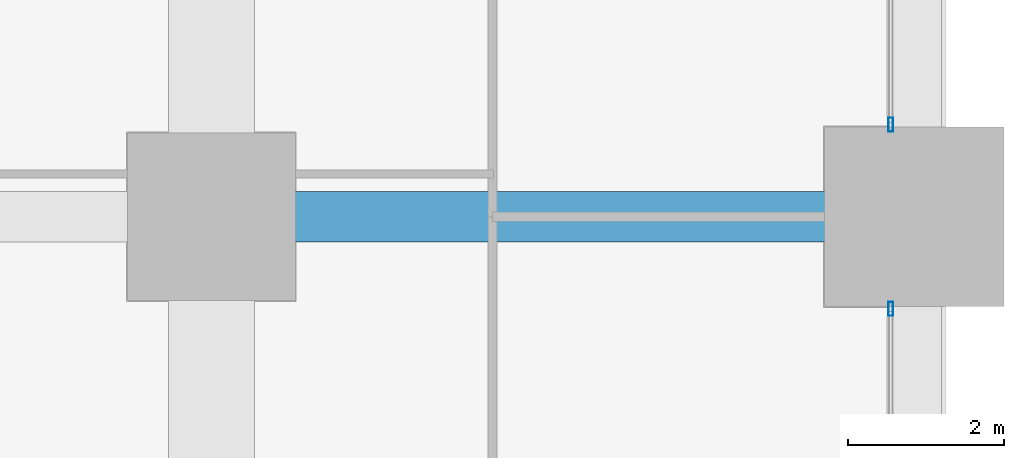
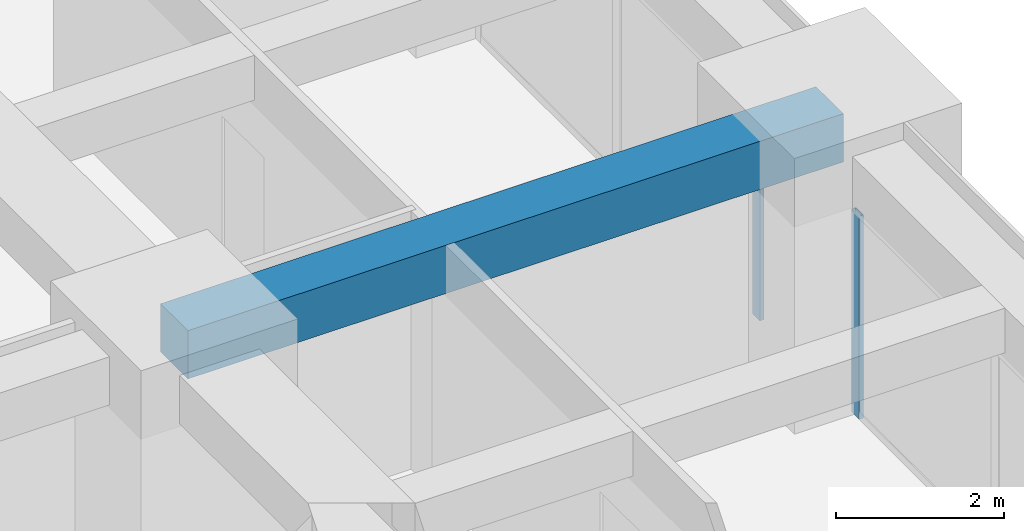
# One storey, part 32 of 44: 2 members, 1 beam, 2 elements without a shape of their own.
"""IFC4 building model written with IfcOpenShell, lengths in metres."""

import ifcopenshell
import ifcopenshell.guid

model = None  # the IFC model being written
_history = None  # IfcOwnerHistory: only IFC2X3 demands one
_inside = {}  # id of a spatial element -> (the spatial element, [elements in it])
_under = {}  # id of a project, library or spatial element -> (it, [spatial elements below it])
_declared = {}  # id of a project -> (the project, [libraries it declares])
_typed = {}  # id of a type object -> (the type object, [elements of that type])
_made_of = {}  # id of a material, layer set ... -> (it, [elements and type objects made of it])


def new_model(schema):
    """Start an empty IFC model of exactly this schema.

    Asked for "IFC4X3", IfcOpenShell would pick the latest addendum, in which some entities
    have other attributes; the version numbers below select the first issue.
    IFC2X3 requires an IfcOwnerHistory on every rooted entity: one is made here for all.
    """
    global model, _history
    if schema == "IFC4X3":
        model = ifcopenshell.file(schema_version=(4, 3, 0, 0))
    else:
        model = ifcopenshell.file(schema=schema)
    _inside.clear()
    _under.clear()
    _declared.clear()
    _typed.clear()
    _made_of.clear()
    _history = None
    if model.schema == "IFC2X3":
        org = make("IfcOrganization", Name="unknown")
        user = make(
            "IfcPersonAndOrganization",
            ThePerson=make("IfcPerson", FamilyName="unknown"),
            TheOrganization=org,
        )
        app = make(
            "IfcApplication",
            ApplicationDeveloper=org,
            Version="unknown",
            ApplicationFullName="unknown",
            ApplicationIdentifier="unknown",
        )
        _history = make(
            "IfcOwnerHistory",
            OwningUser=user,
            OwningApplication=app,
            ChangeAction="ADDED",
            CreationDate=0,
        )
    return model


def make(cls, **values):
    """One entity of the class cls with the attributes given. An attribute that is None is left unset."""
    return model.create_entity(
        cls, **{name: value for name, value in values.items() if value is not None}
    )


def rooted(cls, **values):
    """An entity with a GlobalId (a new one), such as an element, a storey or a relation."""
    return make(cls, GlobalId=ifcopenshell.guid.new(), OwnerHistory=_history, **values)


def si_unit(unit_type, name, prefix=None):
    """IfcSIUnit, for example si_unit("LENGTHUNIT", "METRE", prefix="MILLI")."""
    return make("IfcSIUnit", UnitType=unit_type, Prefix=prefix, Name=name)


def assignment(units):
    """IfcUnitAssignment: the units of a project."""
    return None if units is None else make("IfcUnitAssignment", Units=units)


def point(xyz):
    """IfcCartesianPoint."""
    return None if xyz is None else make("IfcCartesianPoint", Coordinates=xyz)


def direction(xyz):
    """IfcDirection."""
    return None if xyz is None else make("IfcDirection", DirectionRatios=xyz)


def frame(location, z_axis=None, x_axis=None):
    """IfcAxis2Placement3D, a coordinate frame: its origin and axes. An axis left out is left unset."""
    return make(
        "IfcAxis2Placement3D",
        Location=point(location),
        Axis=direction(z_axis),
        RefDirection=direction(x_axis),
    )


def frame_2d(location, x_axis=None):
    """IfcAxis2Placement2D, a coordinate frame in the plane: its origin and x axis."""
    return make(
        "IfcAxis2Placement2D", Location=point(location), RefDirection=direction(x_axis)
    )


def origin():
    """The frame at (0, 0, 0) with its axes left unset."""
    return frame((0.0, 0.0, 0.0))


def origin_2d():
    """The frame at (0, 0) in the plane with its x axis left unset."""
    return frame_2d((0.0, 0.0))


def place(relative_to, where):
    """IfcLocalPlacement: puts the frame where relative to a parent placement (None: the world)."""
    return make(
        "IfcLocalPlacement", PlacementRelTo=relative_to, RelativePlacement=where
    )


def context(
    kind, dimensions, precision=None, world=None, true_north=None, identifier=None
):
    """IfcGeometricRepresentationContext, for example the 3D "Model" context."""
    return make(
        "IfcGeometricRepresentationContext",
        ContextIdentifier=identifier,
        ContextType=kind,
        CoordinateSpaceDimension=dimensions,
        Precision=precision,
        WorldCoordinateSystem=world,
        TrueNorth=true_north,
    )


def subcontext(parent, identifier, kind, view, scale=None):
    """IfcGeometricRepresentationSubContext, for example "Body" below "Model"."""
    return make(
        "IfcGeometricRepresentationSubContext",
        ContextIdentifier=identifier,
        ContextType=kind,
        ParentContext=parent,
        TargetScale=scale,
        TargetView=view,
    )


def project(units=None, contexts=None):
    """IfcProject with its units and contexts."""
    return rooted(
        "IfcProject",
        Name="project",
        RepresentationContexts=contexts,
        UnitsInContext=assignment(units),
    )


def spatial(cls, under=None, at=None, **own):
    """A site, building, storey or space (cls), placed at a placement, below another one or the project."""
    s = rooted(cls, ObjectPlacement=at, **own)
    if under is not None:
        _under.setdefault(under.id(), (under, []))[1].append(s)
    return s


def profile(cls, at=None, kind="AREA", **sizes):
    """A parametric profile (cls). Its sizes go by their IFC names, for example OverallWidth=200.0."""
    return make(cls, ProfileType=kind, Position=at, **sizes)


def rectangle(**sizes):
    """IfcRectangleProfileDef."""
    return profile("IfcRectangleProfileDef", **sizes)


def hollow_rectangle(**sizes):
    """IfcRectangleHollowProfileDef."""
    return profile("IfcRectangleHollowProfileDef", **sizes)


def extrude(swept, where, along, depth):
    """IfcExtrudedAreaSolid: the profile swept, set in the frame where, extruded along a direction by depth."""
    return make(
        "IfcExtrudedAreaSolid",
        SweptArea=swept,
        Position=where,
        ExtrudedDirection=direction(along),
        Depth=depth,
    )


def shape(context_of_items, identifier, shape_type, items):
    """IfcShapeRepresentation: the items that make up one representation, for example the "Body"."""
    return make(
        "IfcShapeRepresentation",
        ContextOfItems=context_of_items,
        RepresentationIdentifier=identifier,
        RepresentationType=shape_type,
        Items=items,
    )


def material(Name=None, Category=None):
    """IfcMaterial."""
    return make("IfcMaterial", Name=Name, Category=Category)


def material_profile(
    of_material, cross_section, Name=None, Category=None, Priority=None
):
    """IfcMaterialProfile: a cross section and its material."""
    return make(
        "IfcMaterialProfile",
        Name=Name,
        Material=of_material,
        Profile=cross_section,
        Priority=Priority,
        Category=Category,
    )


def profile_set(profiles, Name=None, composite=None):
    """IfcMaterialProfileSet."""
    return make(
        "IfcMaterialProfileSet",
        Name=Name,
        MaterialProfiles=profiles,
        CompositeProfile=composite,
    )


def made_of(thing, what):
    """Note that an element or type object is made of a material, layer set ...; save() writes the relation."""
    if what is not None:
        _made_of.setdefault(what.id(), (what, []))[1].append(thing)
    return thing


def type_object(cls, material=None, **own):
    """A type object (cls), such as IfcWallType, which elements share."""
    return made_of(rooted(cls, **own), material)


def element(
    cls,
    number,
    at=None,
    inside=None,
    cuts=None,
    type_object=None,
    material=None,
    context=None,
    identifier="Body",
    shape_type=None,
    held_by="IfcProductDefinitionShape",
    body=None,
    shapes=None,
    **own,
):
    """One element of the class cls, such as IfcWall. Its Tag is "e" and its number.

    at: its placement. inside: the storey or other place that contains it. cuts: it is an
    opening in that element (IfcRelVoidsElement). A single representation is given by context,
    identifier, shape_type and body (its items); several are given by shapes. held_by: the class
    of the entity that holds the representations. save() writes the other relations.
    """
    e = rooted(cls, Tag="e%d" % number, ObjectPlacement=at, **own)
    if body is not None:
        shapes = [shape(context, identifier, shape_type, body)]
    if shapes is not None:
        e.Representation = make(held_by, Representations=shapes)
    if inside is not None:
        _inside.setdefault(inside.id(), (inside, []))[1].append(e)
    if cuts is not None:
        rooted(
            "IfcRelVoidsElement", RelatingBuildingElement=cuts, RelatedOpeningElement=e
        )
    if type_object is not None:
        _typed.setdefault(type_object.id(), (type_object, []))[1].append(e)
    return made_of(e, material)


def aggregate(whole, parts):
    """IfcRelAggregates: a whole, such as a stair, and the parts it consists of."""
    return rooted("IfcRelAggregates", RelatingObject=whole, RelatedObjects=parts)


def save(model, path):
    """Write the relations noted so far, then the file.

    IfcRelAggregates (storeys below a building ...), IfcRelContainedInSpatialStructure (elements
    in a storey), IfcRelDefinesByType, IfcRelAssociatesMaterial and IfcRelDeclares: one each for
    every whole, place, type object, material and project.
    """
    for whole, parts in _under.values():
        aggregate(whole, parts)
    for where, things in _inside.values():
        rooted(
            "IfcRelContainedInSpatialStructure",
            RelatedElements=things,
            RelatingStructure=where,
        )
    for kind, things in _typed.values():
        rooted("IfcRelDefinesByType", RelatedObjects=things, RelatingType=kind)
    for what, things in _made_of.values():
        rooted("IfcRelAssociatesMaterial", RelatedObjects=things, RelatingMaterial=what)
    for by, libraries in _declared.values():
        rooted("IfcRelDeclares", RelatingContext=by, RelatedDefinitions=libraries)
    model.write(path)


model = new_model("IFC4")

# Units and contexts
model_context = context("Model", 3, precision=1e-05, world=origin(), true_north=direction((0.0, 1.0)))
body_context = subcontext(model_context, "Body", "Model", "MODEL_VIEW")
ifc_project = project(units=[si_unit("LENGTHUNIT", "METRE"), si_unit("AREAUNIT", "SQUARE_METRE"), si_unit("VOLUMEUNIT", "CUBIC_METRE"), si_unit("PLANEANGLEUNIT", "RADIAN"), si_unit("MASSUNIT", "GRAM", prefix="KILO")], contexts=[model_context])

# Site, building, storey
site_placement = place(None, origin())
site = spatial("IfcSite", under=ifc_project, at=site_placement, CompositionType="ELEMENT")
building_placement = place(site_placement, origin())
building = spatial("IfcBuilding", under=site, at=building_placement, Name="Zorevar Civic Tower", CompositionType="ELEMENT")
storey_placement = place(building_placement, frame((0.0, 0.0, 51.800048828125)))
storey = spatial("IfcBuildingStorey", under=building, at=storey_placement, Name="L12", CompositionType="ELEMENT", Elevation=51.800048828125)

# Beam
ifc_material_1 = material(Name="Concrete C50/60", Category="concrete")
ifc_material_profile_1 = material_profile(ifc_material_1, rectangle(XDim=0.64990234375, YDim=0.699951171875, at=origin_2d()), Name="RC 650x700")
ifc_profile_set_1 = profile_set([ifc_material_profile_1], Name="Concrete C50/60")
beam_type = type_object("IfcBeamType", Name="Beam RC 650x700", PredefinedType="BEAM", material=ifc_profile_set_1)
beam_placement = place(storey_placement, frame((54.0, 36.0, 3.39990234375), z_axis=(1.0, 0.0, 0.0), x_axis=(0.0, 1.0, 0.0)))
element("IfcBeam", 1, at=beam_placement, inside=storey, type_object=beam_type, Name="Girder L13", PredefinedType="BEAM", context=body_context, shape_type="SweptSolid", body=[
    extrude(rectangle(XDim=0.64990234375, YDim=0.699951171875, at=origin_2d()), origin(), (0.0, 0.0, 1.0), 9.0),
])

# Curtain wall, member
ifc_material_2 = material(Name="Dark grey solar-control glass in black aluminium frame", Category="aluminium")
curtain_wall_type = type_object("IfcCurtainWallType", Name="Curtain wall CW2 low zone", PredefinedType="NOTDEFINED", material=ifc_material_2)
curtain_wall_1_placement = place(storey_placement, origin())
curtain_wall_1 = element("IfcCurtainWall", 2, at=curtain_wall_1_placement, inside=storey, type_object=curtain_wall_type, Name="CW2 L12", PredefinedType="NOTDEFINED")
ifc_material_3 = material(Name="Aluminium, black anodised", Category="aluminium")
ifc_material_profile_2 = material_profile(ifc_material_3, hollow_rectangle(XDim=0.06005859375, YDim=0.179931640625, WallThickness=0.00390625, at=origin_2d()), Name="AL 180x60x4")
ifc_profile_set_2 = profile_set([ifc_material_profile_2], Name="Aluminium, black anodised")
member_type = type_object("IfcMemberType", Name="CW2 mullion AL 180x60x4", PredefinedType="MULLION", material=ifc_profile_set_2)
member_1_placement = place(storey_placement, frame((62.699951171875, 34.820068359375, 0.0), z_axis=(0.0, 0.0, 1.0), x_axis=(-1.0, 0.0, 0.0)))
member_1 = element("IfcMember", 3, at=member_1_placement, type_object=member_type, Name="CW2 mullion 3", PredefinedType="MULLION", context=body_context, shape_type="SweptSolid", body=[
    extrude(hollow_rectangle(XDim=0.06005859375, YDim=0.179931640625, WallThickness=0.00390625, at=origin_2d()), origin(), (0.0, 0.0, 1.0), 2.949951171875),
])
aggregate(curtain_wall_1, [member_1])

curtain_wall_2_placement = place(storey_placement, origin())
curtain_wall_2 = element("IfcCurtainWall", 4, at=curtain_wall_2_placement, inside=storey, type_object=curtain_wall_type, Name="CW2 L12", PredefinedType="NOTDEFINED")
member_2_placement = place(storey_placement, frame((62.699951171875, 37.179931640625, 0.0), z_axis=(0.0, 0.0, 1.0), x_axis=(-1.0, 0.0, 0.0)))
member_2 = element("IfcMember", 5, at=member_2_placement, type_object=member_type, Name="CW2 mullion 1", PredefinedType="MULLION", context=body_context, shape_type="SweptSolid", body=[
    extrude(hollow_rectangle(XDim=0.06005859375, YDim=0.179931640625, WallThickness=0.00390625, at=origin_2d()), origin(), (0.0, 0.0, 1.0), 2.949951171875),
])
aggregate(curtain_wall_2, [member_2])

save(model, "model.ifc")
